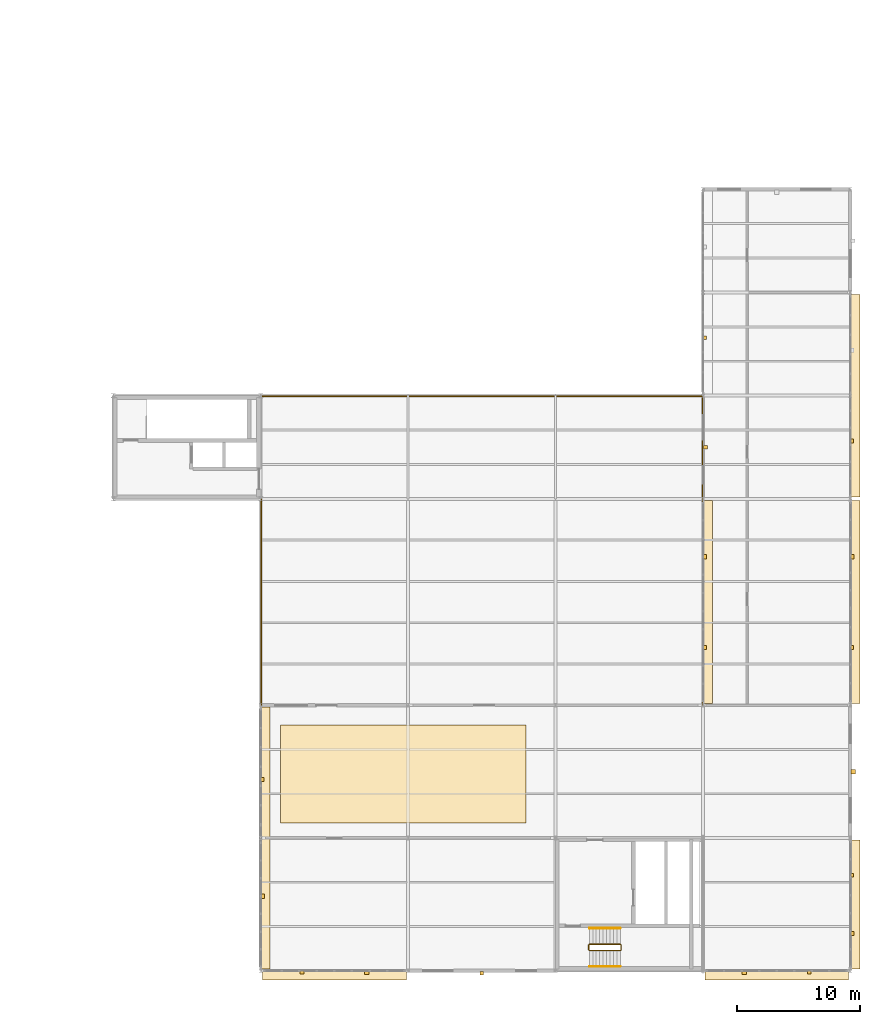
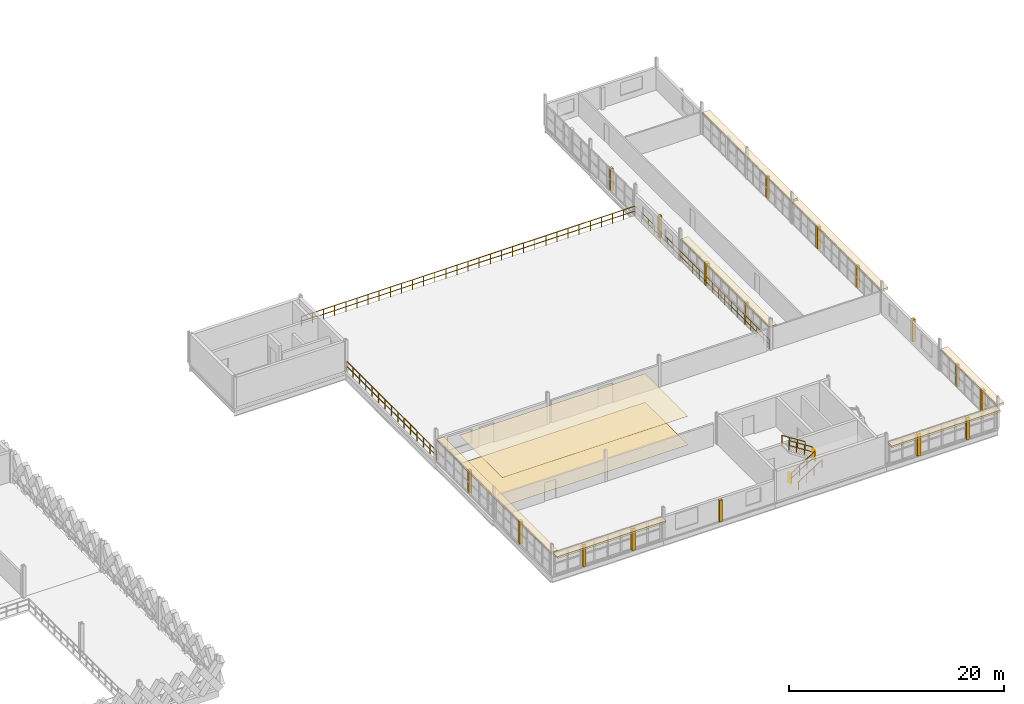
# One storey, part 73 of 74: 17 shading devices, 9 coverings, 9 railings.
"""IFC4 building model written with IfcOpenShell, lengths in metres."""

from ifc_helpers import new_model, si_unit, direction, frame, origin, origin_2d, place, context, subcontext, project, spatial, rectangle, circle, extrude, material, layer, layer_set, material_profile, profile_set, type_object, element, save


model = new_model("IFC4")

# Units and contexts
model_context = context("Model", 3, precision=1e-05, world=origin(), true_north=direction((0.0, 1.0)))
body_context = subcontext(model_context, "Body", "Model", "MODEL_VIEW")
ifc_project = project(units=[si_unit("LENGTHUNIT", "METRE"), si_unit("AREAUNIT", "SQUARE_METRE"), si_unit("VOLUMEUNIT", "CUBIC_METRE"), si_unit("PLANEANGLEUNIT", "RADIAN"), si_unit("MASSUNIT", "GRAM", prefix="KILO"), si_unit("THERMODYNAMICTEMPERATUREUNIT", "KELVIN"), si_unit("POWERUNIT", "WATT")], contexts=[model_context])

# Site, building, storey
site_placement = place(None, origin())
site = spatial("IfcSite", under=ifc_project, at=site_placement, CompositionType="ELEMENT")
building_placement = place(site_placement, origin())
building = spatial("IfcBuilding", under=site, at=building_placement, Name="Tembeka Court Mobility Hub", CompositionType="ELEMENT")
storey_placement = place(building_placement, frame((0.0, 0.0, 12.60009765625)))
storey = spatial("IfcBuildingStorey", under=building, at=storey_placement, Name="L03", CompositionType="ELEMENT", Elevation=12.60009765625)

# Coverings
ifc_material_1 = material(Name="Dressed ochre Nairobi volcanic-tuff cladding", Category="masonry")
ifc_layer_1 = layer(ifc_material_1, 0.0400390625)
ifc_layer_set_1 = layer_set([ifc_layer_1], Name="Dressed ochre Nairobi volcanic-tuff cladding")
covering_type_1 = type_object("IfcCoveringType", Name="COV-CD01", PredefinedType="CLADDING", material=ifc_layer_set_1)
for number, where, z_axis, x_axis, name in (
    (1, (134.39990234375, -0.360107421875, 2.3046875), (0.0, 0.0, 1.0), (1.0, 0.0, 0.0), "Projecting volcanic-tuff solar hood CVD1-H026"),
    (2, (170.39990234375, -0.360107421875, 2.3046875), (0.0, 0.0, 1.0), (1.0, 0.0, 0.0), "Projecting volcanic-tuff solar hood CVD1-H027"),
):
    element("IfcCovering", number, at=place(storey_placement, frame(where, z_axis=z_axis, x_axis=x_axis)), inside=storey, type_object=covering_type_1, Name=name, PredefinedType="CLADDING", context=body_context, shape_type="SweptSolid", body=[
        extrude(rectangle(XDim=11.699951171875, YDim=0.800048828125, at=origin_2d()), origin(), (0.0, 0.0, 1.0), 0.219970703125),
    ])
covering_1_placement = place(storey_placement, frame((176.760009765625, 5.39990234375, 2.3046875), z_axis=(0.0, 0.0, 1.0), x_axis=(0.0, 1.0, 0.0)))
element("IfcCovering", 3, at=covering_1_placement, inside=storey, type_object=covering_type_1, Name="Projecting volcanic-tuff solar hood CVD1-H028", PredefinedType="CLADDING", context=body_context, shape_type="SweptSolid", body=[
    extrude(rectangle(XDim=10.5, YDim=0.800048828125, at=origin_2d()), origin(), (0.0, 0.0, 1.0), 0.219970703125),
])
for number, where, z_axis, x_axis, name in (
    (4, (176.760009765625, 30.0, 2.3046875), (0.0, 0.0, 1.0), (0.0, 1.0, 0.0), "Projecting volcanic-tuff solar hood CVD1-H029"),
    (5, (176.760009765625, 46.800048828125, 2.3046875), (0.0, 0.0, 1.0), (0.0, 1.0, 0.0), "Projecting volcanic-tuff solar hood CVD1-H030"),
    (6, (164.760009765625, 30.0, 2.3046875), (0.0, 0.0, 1.0), (0.0, 1.0, 0.0), "Projecting volcanic-tuff solar hood CVD1-H032"),
):
    element("IfcCovering", number, at=place(storey_placement, frame(where, z_axis=z_axis, x_axis=x_axis)), inside=storey, type_object=covering_type_1, Name=name, PredefinedType="CLADDING", context=body_context, shape_type="SweptSolid", body=[
        extrude(rectangle(XDim=16.5, YDim=0.800048828125, at=origin_2d()), origin(), (0.0, 0.0, 1.0), 0.219970703125),
    ])
covering_2_placement = place(storey_placement, frame((128.760009765625, 10.800048828125, 2.3046875), z_axis=(0.0, 0.0, 1.0), x_axis=(0.0, 1.0, 0.0)))
element("IfcCovering", 7, at=covering_2_placement, inside=storey, type_object=covering_type_1, Name="Projecting volcanic-tuff solar hood CVD1-H033", PredefinedType="CLADDING", context=body_context, shape_type="SweptSolid", body=[
    extrude(rectangle(XDim=21.300048828125, YDim=0.800048828125, at=origin_2d()), origin(), (0.0, 0.0, 1.0), 0.219970703125),
])
ifc_material_2 = material(Name="Perforated acoustic mineral-fibre ceiling tile", Category="masonry")
ifc_layer_2 = layer(ifc_material_2, 0.02490234375)
ifc_layer_set_2 = layer_set([ifc_layer_2], Name="Perforated acoustic mineral-fibre ceiling tile")
covering_type_2 = type_object("IfcCoveringType", Name="COV-CL01", PredefinedType="CEILING", material=ifc_layer_set_2)
covering_3_placement = place(storey_placement, frame((140.0, 16.0, 3.259521484375), z_axis=(0.0, 0.0, 1.0), x_axis=(1.0, 0.0, 0.0)))
element("IfcCovering", 8, at=covering_3_placement, inside=storey, type_object=covering_type_2, Name="Acoustic ceiling panel CVC1-06", PredefinedType="CEILING", context=body_context, shape_type="SweptSolid", body=[
    extrude(rectangle(XDim=20.0, YDim=8.0, at=origin_2d()), origin(), (0.0, 0.0, 1.0), 0.02490234375),
])
ifc_material_3 = material(Name="Honed Nairobi granite concourse flooring", Category="masonry")
ifc_layer_3 = layer(ifc_material_3, 0.02001953125)
ifc_layer_set_3 = layer_set([ifc_layer_3], Name="Honed Nairobi granite concourse flooring")
covering_type_3 = type_object("IfcCoveringType", Name="COV-FL01", PredefinedType="FLOORING", material=ifc_layer_set_3)
covering_4_placement = place(storey_placement, frame((140.0, 16.0, -0.002197265625), z_axis=(0.0, 0.0, 1.0), x_axis=(1.0, 0.0, 0.0)))
element("IfcCovering", 9, at=covering_4_placement, inside=storey, type_object=covering_type_3, Name="Honed granite floor finish CVF1-06", PredefinedType="FLOORING", context=body_context, shape_type="SweptSolid", body=[
    extrude(rectangle(XDim=20.0, YDim=8.0, at=origin_2d()), origin(), (0.0, 0.0, 1.0), 0.02001953125),
])

# Railings
ifc_material_4 = material(Name="Painted galvanised steel balustrade", Category="steel")
railing_type_1 = type_object("IfcRailingType", Name="RL-GR01", PredefinedType="GUARDRAIL", material=ifc_material_4)
railing_1_placement = place(storey_placement, frame((155.14990234375, 1.64990234375, 0.179931640625)))
element("IfcRailing", 10, at=railing_1_placement, inside=storey, type_object=railing_type_1, Name="L03 ST06 stair guard 1-1", PredefinedType="GUARDRAIL", context=body_context, shape_type="SweptSolid", body=[
    extrude(circle(Radius=0.02392578125, at=origin_2d()), frame((0.0, 0.0, 1.09619140625), z_axis=(0.841199657755, 0.0, 0.540724639528), x_axis=(0.0, 1.0, 0.0)), (0.0, 0.0, 1.0), 2.995849609375),
    extrude(circle(Radius=0.02392578125, at=origin_2d()), frame((0.0, 0.0, 0.5361328125), z_axis=(0.841199657755, 0.0, 0.540724639528), x_axis=(0.0, 1.0, 0.0)), (0.0, 0.0, 1.0), 2.995849609375),
    extrude(circle(Radius=0.02099609375, at=origin_2d()), origin(), (0.0, 0.0, 1.0), 1.072021484375),
    extrude(circle(Radius=0.02099609375, at=origin_2d()), frame((0.840087890625, 0.0, 0.5400390625)), (0.0, 0.0, 1.0), 1.072021484375),
    extrude(circle(Radius=0.02099609375, at=origin_2d()), frame((1.679931640625, 0.0, 1.079833984375)), (0.0, 0.0, 1.0), 1.072021484375),
    extrude(circle(Radius=0.02099609375, at=origin_2d()), frame((2.52001953125, 0.0, 1.619873046875)), (0.0, 0.0, 1.0), 1.072021484375),
])
railing_2_placement = place(storey_placement, frame((157.719970703125, 1.699951171875, 1.7998046875)))
element("IfcRailing", 11, at=railing_2_placement, inside=storey, type_object=railing_type_1, Name="L03 ST06 stair guard 2-1", PredefinedType="GUARDRAIL", context=body_context, shape_type="SweptSolid", body=[
    extrude(circle(Radius=0.02392578125, at=origin_2d()), frame((0.0, 0.0, 1.09619140625), z_axis=(0.0, 1.0, 0.0), x_axis=(-1.0, 0.0, 0.0)), (0.0, 0.0, 1.0), 0.400146484375),
    extrude(circle(Radius=0.02392578125, at=origin_2d()), frame((0.0, 0.0, 0.5361328125), z_axis=(0.0, 1.0, 0.0), x_axis=(-1.0, 0.0, 0.0)), (0.0, 0.0, 1.0), 0.400146484375),
    extrude(circle(Radius=0.02099609375, at=origin_2d()), origin(), (0.0, 0.0, 1.0), 1.072021484375),
    extrude(circle(Radius=0.02099609375, at=origin_2d()), frame((0.0, 0.400146484375, 0.0)), (0.0, 0.0, 1.0), 1.072021484375),
])
railing_3_placement = place(storey_placement, frame((157.669921875, 2.14990234375, 1.97998046875)))
element("IfcRailing", 12, at=railing_3_placement, inside=storey, type_object=railing_type_1, Name="L03 ST06 stair guard 3-1", PredefinedType="GUARDRAIL", context=body_context, shape_type="SweptSolid", body=[
    extrude(circle(Radius=0.02392578125, at=origin_2d()), frame((0.0, 0.0, 1.09619140625), z_axis=(-0.841199657755, 0.0, 0.540724639528), x_axis=(0.0, -1.0, 0.0)), (0.0, 0.0, 1.0), 2.995849609375),
    extrude(circle(Radius=0.02392578125, at=origin_2d()), frame((0.0, 0.0, 0.5361328125), z_axis=(-0.841199657755, 0.0, 0.540724639528), x_axis=(0.0, -1.0, 0.0)), (0.0, 0.0, 1.0), 2.995849609375),
    extrude(circle(Radius=0.02099609375, at=origin_2d()), origin(), (0.0, 0.0, 1.0), 1.072021484375),
    extrude(circle(Radius=0.02099609375, at=origin_2d()), frame((-0.840087890625, 0.0, 0.5400390625)), (0.0, 0.0, 1.0), 1.072021484375),
    extrude(circle(Radius=0.02099609375, at=origin_2d()), frame((-1.679931640625, 0.0, 1.079833984375)), (0.0, 0.0, 1.0), 1.072021484375),
    extrude(circle(Radius=0.02099609375, at=origin_2d()), frame((-2.52001953125, 0.0, 1.619873046875)), (0.0, 0.0, 1.0), 1.072021484375),
])
railing_4_placement = place(storey_placement, frame((155.10009765625, 1.699951171875, 0.0)))
element("IfcRailing", 13, at=railing_4_placement, inside=storey, type_object=railing_type_1, Name="L03 ST06 stair guard 4-1", PredefinedType="GUARDRAIL", context=body_context, shape_type="SweptSolid", body=[
    extrude(circle(Radius=0.02392578125, at=origin_2d()), frame((0.0, 0.0, 1.09619140625), z_axis=(0.0, 1.0, 0.0), x_axis=(-1.0, 0.0, 0.0)), (0.0, 0.0, 1.0), 0.400146484375),
    extrude(circle(Radius=0.02392578125, at=origin_2d()), frame((0.0, 0.0, 0.5361328125), z_axis=(0.0, 1.0, 0.0), x_axis=(-1.0, 0.0, 0.0)), (0.0, 0.0, 1.0), 0.400146484375),
    extrude(circle(Radius=0.02099609375, at=origin_2d()), origin(), (0.0, 0.0, 1.0), 1.072021484375),
    extrude(circle(Radius=0.02099609375, at=origin_2d()), frame((0.0, 0.400146484375, 0.0)), (0.0, 0.0, 1.0), 1.072021484375),
])
railing_type_2 = type_object("IfcRailingType", Name="RL-GR02", PredefinedType="GUARDRAIL", material=ifc_material_4)
railing_5_placement = place(storey_placement, frame((128.429931640625, 46.75, 0.0)))
element("IfcRailing", 14, at=railing_5_placement, inside=storey, type_object=railing_type_2, Name="Perimeter guard GR02-0025", PredefinedType="GUARDRAIL", context=body_context, shape_type="SweptSolid", body=[
    extrude(circle(Radius=0.02392578125, at=origin_2d()), frame((0.0, 0.0, 1.09619140625), z_axis=(1.0, 0.0, 0.0), x_axis=(0.0, 1.0, 0.0)), (0.0, 0.0, 1.0), 35.89013671875),
    extrude(circle(Radius=0.02392578125, at=origin_2d()), frame((0.0, 0.0, 0.5361328125), z_axis=(1.0, 0.0, 0.0), x_axis=(0.0, 1.0, 0.0)), (0.0, 0.0, 1.0), 35.89013671875),
    extrude(circle(Radius=0.02099609375, at=origin_2d()), origin(), (0.0, 0.0, 1.0), 1.072021484375),
    extrude(circle(Radius=0.02099609375, at=origin_2d()), frame((1.1962890625, 0.0, 0.0)), (0.0, 0.0, 1.0), 1.072021484375),
    extrude(circle(Radius=0.02099609375, at=origin_2d()), frame((2.392578125, 0.0, 0.0)), (0.0, 0.0, 1.0), 1.072021484375),
    extrude(circle(Radius=0.02099609375, at=origin_2d()), frame((3.589111328125, 0.0, 0.0)), (0.0, 0.0, 1.0), 1.072021484375),
    extrude(circle(Radius=0.02099609375, at=origin_2d()), frame((4.785400390625, 0.0, 0.0)), (0.0, 0.0, 1.0), 1.072021484375),
    extrude(circle(Radius=0.02099609375, at=origin_2d()), frame((5.981689453125, 0.0, 0.0)), (0.0, 0.0, 1.0), 1.072021484375),
    extrude(circle(Radius=0.02099609375, at=origin_2d()), frame((7.177978515625, 0.0, 0.0)), (0.0, 0.0, 1.0), 1.072021484375),
    extrude(circle(Radius=0.02099609375, at=origin_2d()), frame((8.374267578125, 0.0, 0.0)), (0.0, 0.0, 1.0), 1.072021484375),
    extrude(circle(Radius=0.02099609375, at=origin_2d()), frame((9.57080078125, 0.0, 0.0)), (0.0, 0.0, 1.0), 1.072021484375),
    extrude(circle(Radius=0.02099609375, at=origin_2d()), frame((10.76708984375, 0.0, 0.0)), (0.0, 0.0, 1.0), 1.072021484375),
    extrude(circle(Radius=0.02099609375, at=origin_2d()), frame((11.96337890625, 0.0, 0.0)), (0.0, 0.0, 1.0), 1.072021484375),
    extrude(circle(Radius=0.02099609375, at=origin_2d()), frame((13.15966796875, 0.0, 0.0)), (0.0, 0.0, 1.0), 1.072021484375),
    extrude(circle(Radius=0.02099609375, at=origin_2d()), frame((14.35595703125, 0.0, 0.0)), (0.0, 0.0, 1.0), 1.072021484375),
    extrude(circle(Radius=0.02099609375, at=origin_2d()), frame((15.552490234375, 0.0, 0.0)), (0.0, 0.0, 1.0), 1.072021484375),
    extrude(circle(Radius=0.02099609375, at=origin_2d()), frame((16.748779296875, 0.0, 0.0)), (0.0, 0.0, 1.0), 1.072021484375),
    extrude(circle(Radius=0.02099609375, at=origin_2d()), frame((17.945068359375, 0.0, 0.0)), (0.0, 0.0, 1.0), 1.072021484375),
    extrude(circle(Radius=0.02099609375, at=origin_2d()), frame((19.141357421875, 0.0, 0.0)), (0.0, 0.0, 1.0), 1.072021484375),
    extrude(circle(Radius=0.02099609375, at=origin_2d()), frame((20.337646484375, 0.0, 0.0)), (0.0, 0.0, 1.0), 1.072021484375),
    extrude(circle(Radius=0.02099609375, at=origin_2d()), frame((21.5341796875, 0.0, 0.0)), (0.0, 0.0, 1.0), 1.072021484375),
    extrude(circle(Radius=0.02099609375, at=origin_2d()), frame((22.73046875, 0.0, 0.0)), (0.0, 0.0, 1.0), 1.072021484375),
    extrude(circle(Radius=0.02099609375, at=origin_2d()), frame((23.9267578125, 0.0, 0.0)), (0.0, 0.0, 1.0), 1.072021484375),
    extrude(circle(Radius=0.02099609375, at=origin_2d()), frame((25.123046875, 0.0, 0.0)), (0.0, 0.0, 1.0), 1.072021484375),
    extrude(circle(Radius=0.02099609375, at=origin_2d()), frame((26.3193359375, 0.0, 0.0)), (0.0, 0.0, 1.0), 1.072021484375),
    extrude(circle(Radius=0.02099609375, at=origin_2d()), frame((27.515869140625, 0.0, 0.0)), (0.0, 0.0, 1.0), 1.072021484375),
    extrude(circle(Radius=0.02099609375, at=origin_2d()), frame((28.712158203125, 0.0, 0.0)), (0.0, 0.0, 1.0), 1.072021484375),
    extrude(circle(Radius=0.02099609375, at=origin_2d()), frame((29.908447265625, 0.0, 0.0)), (0.0, 0.0, 1.0), 1.072021484375),
    extrude(circle(Radius=0.02099609375, at=origin_2d()), frame((31.104736328125, 0.0, 0.0)), (0.0, 0.0, 1.0), 1.072021484375),
    extrude(circle(Radius=0.02099609375, at=origin_2d()), frame((32.301025390625, 0.0, 0.0)), (0.0, 0.0, 1.0), 1.072021484375),
    extrude(circle(Radius=0.02099609375, at=origin_2d()), frame((33.49755859375, 0.0, 0.0)), (0.0, 0.0, 1.0), 1.072021484375),
    extrude(circle(Radius=0.02099609375, at=origin_2d()), frame((34.69384765625, 0.0, 0.0)), (0.0, 0.0, 1.0), 1.072021484375),
    extrude(circle(Radius=0.02099609375, at=origin_2d()), frame((35.89013671875, 0.0, 0.0)), (0.0, 0.0, 1.0), 1.072021484375),
])
railing_6_placement = place(storey_placement, frame((164.35009765625, 46.719970703125, 0.0)))
element("IfcRailing", 15, at=railing_6_placement, inside=storey, type_object=railing_type_2, Name="Perimeter guard GR02-0026", PredefinedType="GUARDRAIL", context=body_context, shape_type="SweptSolid", body=[
    extrude(circle(Radius=0.02392578125, at=origin_2d()), frame((0.0, 0.0, 1.09619140625), z_axis=(0.0, -1.0, 0.0), x_axis=(1.0, 0.0, 0.0)), (0.0, 0.0, 1.0), 25.090087890625),
    extrude(circle(Radius=0.02392578125, at=origin_2d()), frame((0.0, 0.0, 0.5361328125), z_axis=(0.0, -1.0, 0.0), x_axis=(1.0, 0.0, 0.0)), (0.0, 0.0, 1.0), 25.090087890625),
    extrude(circle(Radius=0.02099609375, at=origin_2d()), origin(), (0.0, 0.0, 1.0), 1.072021484375),
    extrude(circle(Radius=0.02099609375, at=origin_2d()), frame((0.0, -1.19482421875, 0.0)), (0.0, 0.0, 1.0), 1.072021484375),
    extrude(circle(Radius=0.02099609375, at=origin_2d()), frame((0.0, -2.3896484375, 0.0)), (0.0, 0.0, 1.0), 1.072021484375),
    extrude(circle(Radius=0.02099609375, at=origin_2d()), frame((0.0, -3.584228515625, 0.0)), (0.0, 0.0, 1.0), 1.072021484375),
    extrude(circle(Radius=0.02099609375, at=origin_2d()), frame((0.0, -4.779052734375, 0.0)), (0.0, 0.0, 1.0), 1.072021484375),
    extrude(circle(Radius=0.02099609375, at=origin_2d()), frame((0.0, -5.973876953125, 0.0)), (0.0, 0.0, 1.0), 1.072021484375),
    extrude(circle(Radius=0.02099609375, at=origin_2d()), frame((0.0, -7.168701171875, 0.0)), (0.0, 0.0, 1.0), 1.072021484375),
    extrude(circle(Radius=0.02099609375, at=origin_2d()), frame((0.0, -8.36328125, 0.0)), (0.0, 0.0, 1.0), 1.072021484375),
    extrude(circle(Radius=0.02099609375, at=origin_2d()), frame((0.0, -9.55810546875, 0.0)), (0.0, 0.0, 1.0), 1.072021484375),
    extrude(circle(Radius=0.02099609375, at=origin_2d()), frame((0.0, -10.7529296875, 0.0)), (0.0, 0.0, 1.0), 1.072021484375),
    extrude(circle(Radius=0.02099609375, at=origin_2d()), frame((0.0, -11.94775390625, 0.0)), (0.0, 0.0, 1.0), 1.072021484375),
    extrude(circle(Radius=0.02099609375, at=origin_2d()), frame((0.0, -13.142333984375, 0.0)), (0.0, 0.0, 1.0), 1.072021484375),
    extrude(circle(Radius=0.02099609375, at=origin_2d()), frame((0.0, -14.337158203125, 0.0)), (0.0, 0.0, 1.0), 1.072021484375),
    extrude(circle(Radius=0.02099609375, at=origin_2d()), frame((0.0, -15.531982421875, 0.0)), (0.0, 0.0, 1.0), 1.072021484375),
    extrude(circle(Radius=0.02099609375, at=origin_2d()), frame((0.0, -16.726806640625, 0.0)), (0.0, 0.0, 1.0), 1.072021484375),
    extrude(circle(Radius=0.02099609375, at=origin_2d()), frame((0.0, -17.92138671875, 0.0)), (0.0, 0.0, 1.0), 1.072021484375),
    extrude(circle(Radius=0.02099609375, at=origin_2d()), frame((0.0, -19.1162109375, 0.0)), (0.0, 0.0, 1.0), 1.072021484375),
    extrude(circle(Radius=0.02099609375, at=origin_2d()), frame((0.0, -20.31103515625, 0.0)), (0.0, 0.0, 1.0), 1.072021484375),
    extrude(circle(Radius=0.02099609375, at=origin_2d()), frame((0.0, -21.505859375, 0.0)), (0.0, 0.0, 1.0), 1.072021484375),
    extrude(circle(Radius=0.02099609375, at=origin_2d()), frame((0.0, -22.700439453125, 0.0)), (0.0, 0.0, 1.0), 1.072021484375),
    extrude(circle(Radius=0.02099609375, at=origin_2d()), frame((0.0, -23.895263671875, 0.0)), (0.0, 0.0, 1.0), 1.072021484375),
    extrude(circle(Radius=0.02099609375, at=origin_2d()), frame((0.0, -25.090087890625, 0.0)), (0.0, 0.0, 1.0), 1.072021484375),
])
railing_7_placement = place(storey_placement, frame((128.449951171875, 21.6298828125, 0.0)))
element("IfcRailing", 16, at=railing_7_placement, inside=storey, type_object=railing_type_2, Name="Perimeter guard GR02-0027", PredefinedType="GUARDRAIL", context=body_context, shape_type="SweptSolid", body=[
    extrude(circle(Radius=0.02392578125, at=origin_2d()), frame((0.0, 0.0, 1.09619140625), z_axis=(0.0, 1.0, 0.0), x_axis=(-1.0, 0.0, 0.0)), (0.0, 0.0, 1.0), 16.740234375),
    extrude(circle(Radius=0.02392578125, at=origin_2d()), frame((0.0, 0.0, 0.5361328125), z_axis=(0.0, 1.0, 0.0), x_axis=(-1.0, 0.0, 0.0)), (0.0, 0.0, 1.0), 16.740234375),
    extrude(circle(Radius=0.02099609375, at=origin_2d()), origin(), (0.0, 0.0, 1.0), 1.072021484375),
    extrude(circle(Radius=0.02099609375, at=origin_2d()), frame((0.0, 1.19580078125, 0.0)), (0.0, 0.0, 1.0), 1.072021484375),
    extrude(circle(Radius=0.02099609375, at=origin_2d()), frame((0.0, 2.391357421875, 0.0)), (0.0, 0.0, 1.0), 1.072021484375),
    extrude(circle(Radius=0.02099609375, at=origin_2d()), frame((0.0, 3.587158203125, 0.0)), (0.0, 0.0, 1.0), 1.072021484375),
    extrude(circle(Radius=0.02099609375, at=origin_2d()), frame((0.0, 4.782958984375, 0.0)), (0.0, 0.0, 1.0), 1.072021484375),
    extrude(circle(Radius=0.02099609375, at=origin_2d()), frame((0.0, 5.978759765625, 0.0)), (0.0, 0.0, 1.0), 1.072021484375),
    extrude(circle(Radius=0.02099609375, at=origin_2d()), frame((0.0, 7.17431640625, 0.0)), (0.0, 0.0, 1.0), 1.072021484375),
    extrude(circle(Radius=0.02099609375, at=origin_2d()), frame((0.0, 8.3701171875, 0.0)), (0.0, 0.0, 1.0), 1.072021484375),
    extrude(circle(Radius=0.02099609375, at=origin_2d()), frame((0.0, 9.56591796875, 0.0)), (0.0, 0.0, 1.0), 1.072021484375),
    extrude(circle(Radius=0.02099609375, at=origin_2d()), frame((0.0, 10.761474609375, 0.0)), (0.0, 0.0, 1.0), 1.072021484375),
    extrude(circle(Radius=0.02099609375, at=origin_2d()), frame((0.0, 11.957275390625, 0.0)), (0.0, 0.0, 1.0), 1.072021484375),
    extrude(circle(Radius=0.02099609375, at=origin_2d()), frame((0.0, 13.153076171875, 0.0)), (0.0, 0.0, 1.0), 1.072021484375),
    extrude(circle(Radius=0.02099609375, at=origin_2d()), frame((0.0, 14.348876953125, 0.0)), (0.0, 0.0, 1.0), 1.072021484375),
    extrude(circle(Radius=0.02099609375, at=origin_2d()), frame((0.0, 15.54443359375, 0.0)), (0.0, 0.0, 1.0), 1.072021484375),
    extrude(circle(Radius=0.02099609375, at=origin_2d()), frame((0.0, 16.740234375, 0.0)), (0.0, 0.0, 1.0), 1.072021484375),
])
ifc_material_5 = material(Name="Brushed stainless steel handrail", Category="steel")
railing_type_3 = type_object("IfcRailingType", Name="RL-HR01", PredefinedType="HANDRAIL", material=ifc_material_5)
railing_8_placement = place(storey_placement, frame((155.14990234375, 0.35009765625, 0.179931640625)))
element("IfcRailing", 17, at=railing_8_placement, inside=storey, type_object=railing_type_3, Name="L03 ST06 handrail 1-1", PredefinedType="HANDRAIL", context=body_context, shape_type="SweptSolid", body=[
    extrude(circle(Radius=0.02392578125, at=origin_2d()), frame((0.0, 0.0, 0.89599609375), z_axis=(0.841199657755, 0.0, 0.540724639528), x_axis=(0.0, 1.0, 0.0)), (0.0, 0.0, 1.0), 2.995849609375),
    extrude(circle(Radius=0.02099609375, at=origin_2d()), origin(), (0.0, 0.0, 1.0), 0.871826171875),
    extrude(circle(Radius=0.02099609375, at=origin_2d()), frame((0.840087890625, 0.0, 0.5400390625)), (0.0, 0.0, 1.0), 0.871826171875),
    extrude(circle(Radius=0.02099609375, at=origin_2d()), frame((1.679931640625, 0.0, 1.079833984375)), (0.0, 0.0, 1.0), 0.871826171875),
    extrude(circle(Radius=0.02099609375, at=origin_2d()), frame((2.52001953125, 0.0, 1.619873046875)), (0.0, 0.0, 1.0), 0.871826171875),
])
railing_9_placement = place(storey_placement, frame((157.669921875, 3.449951171875, 1.97998046875)))
element("IfcRailing", 18, at=railing_9_placement, inside=storey, type_object=railing_type_3, Name="L03 ST06 handrail 2-1", PredefinedType="HANDRAIL", context=body_context, shape_type="SweptSolid", body=[
    extrude(circle(Radius=0.02392578125, at=origin_2d()), frame((0.0, 0.0, 0.89599609375), z_axis=(-0.841199657755, 0.0, 0.540724639528), x_axis=(0.0, -1.0, 0.0)), (0.0, 0.0, 1.0), 2.995849609375),
    extrude(circle(Radius=0.02099609375, at=origin_2d()), origin(), (0.0, 0.0, 1.0), 0.871826171875),
    extrude(circle(Radius=0.02099609375, at=origin_2d()), frame((-0.840087890625, 0.0, 0.5400390625)), (0.0, 0.0, 1.0), 0.871826171875),
    extrude(circle(Radius=0.02099609375, at=origin_2d()), frame((-1.679931640625, 0.0, 1.079833984375)), (0.0, 0.0, 1.0), 0.871826171875),
    extrude(circle(Radius=0.02099609375, at=origin_2d()), frame((-2.52001953125, 0.0, 1.619873046875)), (0.0, 0.0, 1.0), 0.871826171875),
])

# Shading devices
ifc_material_6 = material(Name="Bronze-anodised aluminium 6063-T6", Category="aluminium")
ifc_material_profile_1 = material_profile(ifc_material_6, rectangle(XDim=0.360107421875, YDim=0.360107421875, at=origin_2d()), Name="ALU-FIN 360x360")
ifc_profile_set_1 = profile_set([ifc_material_profile_1], Name="Bronze-anodised aluminium 6063-T6")
shading_device_type_1 = type_object("IfcShadingDeviceType", Name="SHD-FN01", PredefinedType="JALOUSIE", material=ifc_profile_set_1)
for number, where, z_axis, x_axis, name in (
    (19, (137.0400390625, -0.1201171875, 0.0), (0.0, 0.0, 1.0), (1.0, 0.0, 0.0), "Equatorial solar shading fin FN01-058"),
    (20, (167.760009765625, -0.1201171875, 0.0), (0.0, 0.0, 1.0), (1.0, 0.0, 0.0), "Equatorial solar shading fin FN01-060"),
    (21, (176.52001953125, 3.02392578125, 0.0), (0.0, 0.0, 1.0), (1.0, 0.0, 0.0), "Equatorial solar shading fin FN01-062"),
):
    element("IfcShadingDevice", number, at=place(storey_placement, frame(where, z_axis=z_axis, x_axis=x_axis)), inside=storey, type_object=shading_device_type_1, Name=name, PredefinedType="JALOUSIE", context=body_context, shape_type="SweptSolid", body=[
        extrude(rectangle(XDim=0.360107421875, YDim=0.360107421875, at=origin_2d()), origin(), (0.0, 0.0, 1.0), 2.514892578125),
    ])
shading_device_1_placement = place(storey_placement, frame((176.639892578125, 16.199951171875, 0.0), z_axis=(0.0, 0.0, 1.0), x_axis=(1.0, 0.0, 0.0)))
element("IfcShadingDevice", 22, at=shading_device_1_placement, inside=storey, type_object=shading_device_type_1, Name="Equatorial solar shading fin FN01-064", PredefinedType="JALOUSIE", context=body_context, shape_type="SweptSolid", body=[
    extrude(rectangle(XDim=0.360107421875, YDim=0.360107421875, at=origin_2d()), origin(), (0.0, 0.0, 1.0), 2.48486328125),
])
for number, where, z_axis, x_axis, name in (
    (23, (176.52001953125, 33.696044921875, 0.0), (0.0, 0.0, 1.0), (1.0, 0.0, 0.0), "Equatorial solar shading fin FN01-066"),
    (24, (164.52001953125, 33.696044921875, 0.0), (0.0, 0.0, 1.0), (1.0, 0.0, 0.0), "Equatorial solar shading fin FN01-074"),
    (25, (128.52001953125, 6.048095703125, 0.0), (0.0, 0.0, 1.0), (1.0, 0.0, 0.0), "Equatorial solar shading fin FN01-076"),
):
    element("IfcShadingDevice", number, at=place(storey_placement, frame(where, z_axis=z_axis, x_axis=x_axis)), inside=storey, type_object=shading_device_type_1, Name=name, PredefinedType="JALOUSIE", context=body_context, shape_type="SweptSolid", body=[
        extrude(rectangle(XDim=0.360107421875, YDim=0.360107421875, at=origin_2d()), origin(), (0.0, 0.0, 1.0), 2.514892578125),
    ])
ifc_material_profile_2 = material_profile(ifc_material_6, rectangle(XDim=0.300048828125, YDim=0.300048828125, at=origin_2d()), Name="ALU-LVR 300x300")
ifc_profile_set_2 = profile_set([ifc_material_profile_2], Name="Bronze-anodised aluminium 6063-T6")
shading_device_type_2 = type_object("IfcShadingDeviceType", Name="SHD-LV01", PredefinedType="SHUTTER", material=ifc_profile_set_2)
shading_device_2_placement = place(storey_placement, frame((131.760009765625, -0.1201171875, 0.0), z_axis=(0.0, 0.0, 1.0), x_axis=(1.0, 0.0, 0.0)))
element("IfcShadingDevice", 26, at=shading_device_2_placement, inside=storey, type_object=shading_device_type_2, Name="Equatorial solar shading fin LV01-057", PredefinedType="SHUTTER", context=body_context, shape_type="SweptSolid", body=[
    extrude(rectangle(XDim=0.300048828125, YDim=0.300048828125, at=origin_2d()), origin(), (0.0, 0.0, 1.0), 2.514892578125),
])
shading_device_3_placement = place(storey_placement, frame((146.39990234375, -0.2099609375, 0.0), z_axis=(0.0, 0.0, 1.0), x_axis=(1.0, 0.0, 0.0)))
element("IfcShadingDevice", 27, at=shading_device_3_placement, inside=storey, type_object=shading_device_type_2, Name="Equatorial solar shading fin LV01-059", PredefinedType="SHUTTER", context=body_context, shape_type="SweptSolid", body=[
    extrude(rectangle(XDim=0.300048828125, YDim=0.300048828125, at=origin_2d()), origin(), (0.0, 0.0, 1.0), 2.48486328125),
])
for number, where, z_axis, x_axis, name in (
    (28, (173.0400390625, -0.1201171875, 0.0), (0.0, 0.0, 1.0), (1.0, 0.0, 0.0), "Equatorial solar shading fin LV01-061"),
    (29, (176.52001953125, 7.77587890625, 0.0), (0.0, 0.0, 1.0), (1.0, 0.0, 0.0), "Equatorial solar shading fin LV01-063"),
    (30, (176.52001953125, 26.303955078125, 0.0), (0.0, 0.0, 1.0), (1.0, 0.0, 0.0), "Equatorial solar shading fin LV01-065"),
    (31, (176.52001953125, 43.10400390625, 0.0), (0.0, 0.0, 1.0), (1.0, 0.0, 0.0), "Equatorial solar shading fin LV01-067"),
    (32, (164.52001953125, 51.50390625, 0.0), (0.0, 0.0, 1.0), (1.0, 0.0, 0.0), "Equatorial solar shading fin LV01-071"),
    (33, (164.52001953125, 26.303955078125, 0.0), (0.0, 0.0, 1.0), (1.0, 0.0, 0.0), "Equatorial solar shading fin LV01-073"),
):
    element("IfcShadingDevice", number, at=place(storey_placement, frame(where, z_axis=z_axis, x_axis=x_axis)), inside=storey, type_object=shading_device_type_2, Name=name, PredefinedType="SHUTTER", context=body_context, shape_type="SweptSolid", body=[
        extrude(rectangle(XDim=0.300048828125, YDim=0.300048828125, at=origin_2d()), origin(), (0.0, 0.0, 1.0), 2.514892578125),
    ])
shading_device_4_placement = place(storey_placement, frame((164.610107421875, 42.60009765625, 0.0), z_axis=(0.0, 0.0, 1.0), x_axis=(1.0, 0.0, 0.0)))
element("IfcShadingDevice", 34, at=shading_device_4_placement, inside=storey, type_object=shading_device_type_2, Name="Equatorial solar shading fin LV01-075", PredefinedType="SHUTTER", context=body_context, shape_type="SweptSolid", body=[
    extrude(rectangle(XDim=0.300048828125, YDim=0.300048828125, at=origin_2d()), origin(), (0.0, 0.0, 1.0), 2.48486328125),
])
shading_device_5_placement = place(storey_placement, frame((128.52001953125, 15.552001953125, 0.0), z_axis=(0.0, 0.0, 1.0), x_axis=(1.0, 0.0, 0.0)))
element("IfcShadingDevice", 35, at=shading_device_5_placement, inside=storey, type_object=shading_device_type_2, Name="Equatorial solar shading fin LV01-077", PredefinedType="SHUTTER", context=body_context, shape_type="SweptSolid", body=[
    extrude(rectangle(XDim=0.300048828125, YDim=0.300048828125, at=origin_2d()), origin(), (0.0, 0.0, 1.0), 2.514892578125),
])

save(model, "model.ifc")
